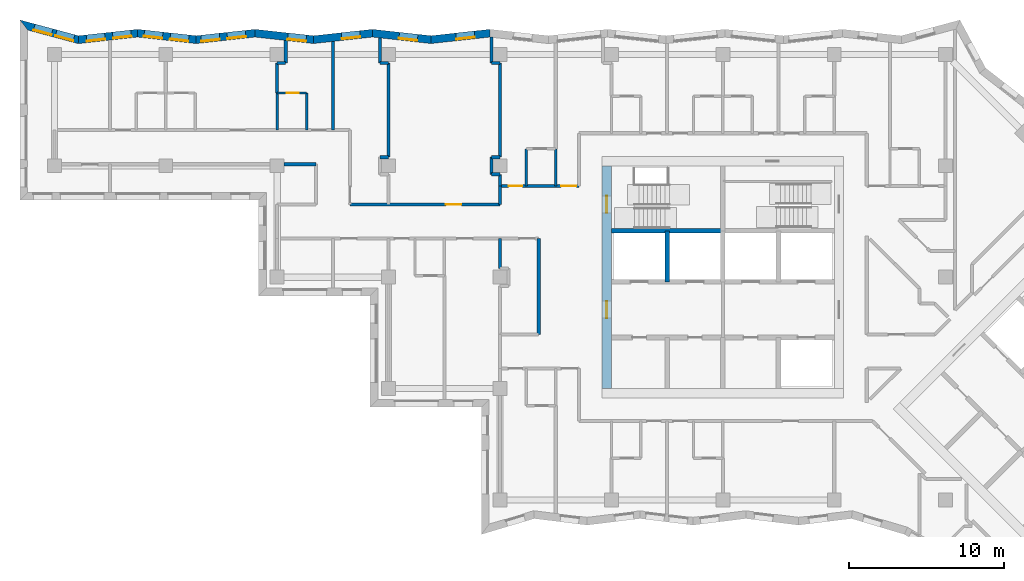
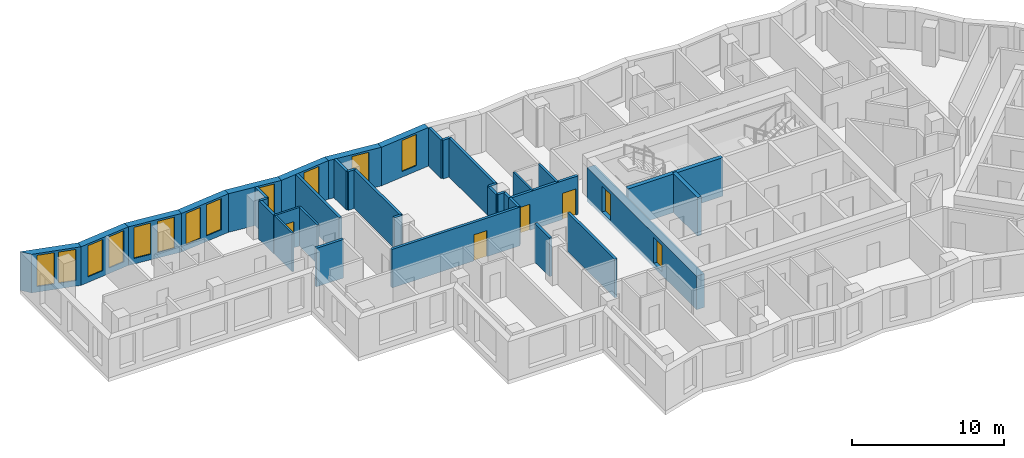
# One storey, part 5 of 12: 37 walls, 12 windows, 6 doors, 18 openings.
"""IFC4 building model written with IfcOpenShell, lengths in metres."""

from ifc_helpers import new_model, si_unit, direction, frame, frame_2d, origin, place, context, subcontext, project, spatial, polyline, rectangle, outline, extrude, material, layer, layer_set, type_object, element, fill, save


model = new_model("IFC4")

# Units and contexts
model_context = context("Model", 3, precision=1e-05, world=origin(), true_north=direction((0.0, 1.0)))
body_context = subcontext(model_context, "Body", "Model", "MODEL_VIEW")
ifc_project = project(units=[si_unit("LENGTHUNIT", "METRE"), si_unit("AREAUNIT", "SQUARE_METRE"), si_unit("VOLUMEUNIT", "CUBIC_METRE"), si_unit("PLANEANGLEUNIT", "RADIAN"), si_unit("MASSUNIT", "GRAM", prefix="KILO")], contexts=[model_context])

# Site, building, storey
site_placement = place(None, origin())
site = spatial("IfcSite", under=ifc_project, at=site_placement, CompositionType="ELEMENT")
building_placement = place(site_placement, origin())
building = spatial("IfcBuilding", under=site, at=building_placement, Name="Windrow Commons", CompositionType="ELEMENT")
storey_placement = place(building_placement, frame((0.0, 0.0, 149.0)))
storey = spatial("IfcBuildingStorey", under=building, at=storey_placement, Name="L40", CompositionType="ELEMENT", Elevation=149.0)

# Wall, opening, window
ifc_material_1 = material(Name="Brick masonry, red clay brick", Category="masonry")
ifc_layer_1 = layer(ifc_material_1, 0.5)
ifc_layer_set_1 = layer_set([ifc_layer_1], Name="Brick facade wall 500")
wall_type_1 = type_object("IfcWallType", Name="Brick facade wall 500", PredefinedType="SOLIDWALL", material=ifc_layer_set_1)
wall_1_placement = place(storey_placement, frame((49.7495, 73.3695, 0.0), z_axis=(0.0, 0.0, 1.0), x_axis=(-0.99390702, -0.1102217568, 0.0)))
wall_1 = element("IfcWall", 1, at=wall_1_placement, inside=storey, type_object=wall_type_1, Name="Brick facade wall L40 27", PredefinedType="SOLIDWALL", context=body_context, shape_type="SweptSolid", body=[
    extrude(outline(polyline([(-0.0277, -0.25), (3.7919, -0.25), (3.8473, 0.25), (0.0277, 0.25), (-0.0277, -0.25)])), origin(), (0.0, 0.0, 1.0), 3.1),
])
opening_1_placement = place(wall_1_placement, frame((0.9977, 0.0, 0.45)))
opening_1 = element("IfcOpeningElement", 2, at=opening_1_placement, cuts=wall_1, Name="Opening W7E", PredefinedType="OPENING", context=body_context, shape_type="SweptSolid", body=[
    extrude(rectangle(XDim=1.2, YDim=2.5, at=frame_2d((0.6, 1.25))), frame((0.0, 0.26, 0.0), z_axis=(0.0, -1.0, 0.0), x_axis=(1.0, 0.0, 0.0)), (0.0, 0.0, 1.0), 0.52),
])
ifc_material_2 = material(Name="Clear float glass in anodised aluminium frame", Category="aluminium")
window_type = type_object("IfcWindowType", Name="Window W7 notch 1200x2500", PartitioningType="SINGLE_PANEL", PredefinedType="WINDOW", material=ifc_material_2)
window_1_placement = place(opening_1_placement, origin())
window_1 = element("IfcWindow", 3, at=window_1_placement, inside=storey, type_object=window_type, Name="Window L40 27.1", OverallHeight=2.5, OverallWidth=1.2, PartitioningType="SINGLE_PANEL", PredefinedType="WINDOW", context=body_context, shape_type="SweptSolid", body=[
    extrude(rectangle(XDim=1.2, YDim=2.5, at=frame_2d((0.6, 1.25))), frame((0.0, 0.18, 0.0), z_axis=(0.0, -1.0, 0.0), x_axis=(1.0, 0.0, 0.0)), (0.0, 0.0, 1.0), 0.06),
])
fill(opening_1, window_1)

wall_2_placement = place(storey_placement, frame((45.9532, 72.9485, 0.0), z_axis=(0.0, 0.0, 1.0), x_axis=(-0.99390702, 0.1102217568, 0.0)))
wall_2 = element("IfcWall", 4, at=wall_2_placement, inside=storey, type_object=wall_type_1, Name="Brick facade wall L40 28", PredefinedType="SOLIDWALL", context=body_context, shape_type="SweptSolid", body=[
    extrude(outline(polyline([(0.0277, -0.25), (3.8473, -0.25), (3.7919, 0.25), (-0.0277, 0.25), (0.0277, -0.25)])), origin(), (0.0, 0.0, 1.0), 3.1),
])
opening_2_placement = place(wall_2_placement, frame((0.885, 0.0, 0.45)))
opening_2 = element("IfcOpeningElement", 5, at=opening_2_placement, cuts=wall_2, Name="Opening W7E", PredefinedType="OPENING", context=body_context, shape_type="SweptSolid", body=[
    extrude(rectangle(XDim=1.2, YDim=2.5, at=frame_2d((0.6, 1.25))), frame((0.0, 0.26, 0.0), z_axis=(0.0, -1.0, 0.0), x_axis=(1.0, 0.0, 0.0)), (0.0, 0.0, 1.0), 0.52),
])
window_2_placement = place(opening_2_placement, origin())
window_2 = element("IfcWindow", 6, at=window_2_placement, inside=storey, type_object=window_type, Name="Window L40 28.1", OverallHeight=2.5, OverallWidth=1.2, PartitioningType="SINGLE_PANEL", PredefinedType="WINDOW", context=body_context, shape_type="SweptSolid", body=[
    extrude(rectangle(XDim=1.2, YDim=2.5, at=frame_2d((0.6, 1.25))), frame((0.0, 0.18, 0.0), z_axis=(0.0, -1.0, 0.0), x_axis=(1.0, 0.0, 0.0)), (0.0, 0.0, 1.0), 0.06),
])
fill(opening_2, window_2)

wall_3_placement = place(storey_placement, frame((42.1569, 73.3695, 0.0), z_axis=(0.0, 0.0, 1.0), x_axis=(-0.99390702, -0.1102217568, 0.0)))
wall_3 = element("IfcWall", 7, at=wall_3_placement, inside=storey, type_object=wall_type_1, Name="Brick facade wall L40 29", PredefinedType="SOLIDWALL", context=body_context, shape_type="SweptSolid", body=[
    extrude(outline(polyline([(-0.0277, -0.25), (3.7919, -0.25), (3.8473, 0.25), (0.0277, 0.25), (-0.0277, -0.25)])), origin(), (0.0, 0.0, 1.0), 3.1),
])
opening_3_placement = place(wall_3_placement, frame((0.8001, 0.0, 0.45)))
opening_3 = element("IfcOpeningElement", 8, at=opening_3_placement, cuts=wall_3, Name="Opening W7E", PredefinedType="OPENING", context=body_context, shape_type="SweptSolid", body=[
    extrude(rectangle(XDim=1.2, YDim=2.5, at=frame_2d((0.6, 1.25))), frame((0.0, 0.26, 0.0), z_axis=(0.0, -1.0, 0.0), x_axis=(1.0, 0.0, 0.0)), (0.0, 0.0, 1.0), 0.52),
])
window_3_placement = place(opening_3_placement, origin())
window_3 = element("IfcWindow", 9, at=window_3_placement, inside=storey, type_object=window_type, Name="Window L40 29.1", OverallHeight=2.5, OverallWidth=1.2, PartitioningType="SINGLE_PANEL", PredefinedType="WINDOW", context=body_context, shape_type="SweptSolid", body=[
    extrude(rectangle(XDim=1.2, YDim=2.5, at=frame_2d((0.6, 1.25))), frame((0.0, 0.18, 0.0), z_axis=(0.0, -1.0, 0.0), x_axis=(1.0, 0.0, 0.0)), (0.0, 0.0, 1.0), 0.06),
])
fill(opening_3, window_3)

wall_4_placement = place(storey_placement, frame((38.3606, 72.9485, 0.0), z_axis=(0.0, 0.0, 1.0), x_axis=(-0.99390702, 0.1102217568, 0.0)))
wall_4 = element("IfcWall", 10, at=wall_4_placement, inside=storey, type_object=wall_type_1, Name="Brick facade wall L40 30", PredefinedType="SOLIDWALL", context=body_context, shape_type="SweptSolid", body=[
    extrude(outline(polyline([(0.0277, -0.25), (3.8473, -0.25), (3.7919, 0.25), (-0.0277, 0.25), (0.0277, -0.25)])), origin(), (0.0, 0.0, 1.0), 3.1),
])
opening_4_placement = place(wall_4_placement, frame((0.4875, 0.0, 0.45)))
opening_4 = element("IfcOpeningElement", 11, at=opening_4_placement, cuts=wall_4, Name="Opening W7E", PredefinedType="OPENING", context=body_context, shape_type="SweptSolid", body=[
    extrude(rectangle(XDim=1.2, YDim=2.5, at=frame_2d((0.6, 1.25))), frame((0.0, 0.26, 0.0), z_axis=(0.0, -1.0, 0.0), x_axis=(1.0, 0.0, 0.0)), (0.0, 0.0, 1.0), 0.52),
])
window_4_placement = place(opening_4_placement, origin())
window_4 = element("IfcWindow", 12, at=window_4_placement, inside=storey, type_object=window_type, Name="Window L40 30.1", OverallHeight=2.5, OverallWidth=1.2, PartitioningType="SINGLE_PANEL", PredefinedType="WINDOW", context=body_context, shape_type="SweptSolid", body=[
    extrude(rectangle(XDim=1.2, YDim=2.5, at=frame_2d((0.6, 1.25))), frame((0.0, 0.18, 0.0), z_axis=(0.0, -1.0, 0.0), x_axis=(1.0, 0.0, 0.0)), (0.0, 0.0, 1.0), 0.06),
])
fill(opening_4, window_4)

# Wall, openings, windows
wall_5_placement = place(storey_placement, frame((34.5643, 73.3695, 0.0), z_axis=(0.0, 0.0, 1.0), x_axis=(-0.993907338, -0.1102188888, 0.0)))
wall_5 = element("IfcWall", 13, at=wall_5_placement, inside=storey, type_object=wall_type_1, Name="Brick facade wall L40 31", PredefinedType="SOLIDWALL", context=body_context, shape_type="SweptSolid", body=[
    extrude(outline(polyline([(-0.0277, -0.25), (3.7919, -0.25), (3.8473, 0.25), (0.0277, 0.25), (-0.0277, -0.25)])), origin(), (0.0, 0.0, 1.0), 3.1),
])
opening_5_placement = place(wall_5_placement, frame((0.6026, 0.0, 0.45)))
opening_5 = element("IfcOpeningElement", 14, at=opening_5_placement, cuts=wall_5, Name="Opening W7E", PredefinedType="OPENING", context=body_context, shape_type="SweptSolid", body=[
    extrude(rectangle(XDim=1.2, YDim=2.5, at=frame_2d((0.6, 1.25))), frame((0.0, 0.26, 0.0), z_axis=(0.0, -1.0, 0.0), x_axis=(1.0, 0.0, 0.0)), (0.0, 0.0, 1.0), 0.52),
])
opening_6_placement = place(wall_5_placement, frame((2.2986, 0.0, 0.45)))
opening_6 = element("IfcOpeningElement", 15, at=opening_6_placement, cuts=wall_5, Name="Opening W7E", PredefinedType="OPENING", context=body_context, shape_type="SweptSolid", body=[
    extrude(rectangle(XDim=1.2, YDim=2.5, at=frame_2d((0.6, 1.25))), frame((0.0, 0.26, 0.0), z_axis=(0.0, -1.0, 0.0), x_axis=(1.0, 0.0, 0.0)), (0.0, 0.0, 1.0), 0.52),
])
window_5_placement = place(opening_5_placement, origin())
window_5 = element("IfcWindow", 16, at=window_5_placement, inside=storey, type_object=window_type, Name="Window L40 31.1", OverallHeight=2.5, OverallWidth=1.2, PartitioningType="SINGLE_PANEL", PredefinedType="WINDOW", context=body_context, shape_type="SweptSolid", body=[
    extrude(rectangle(XDim=1.2, YDim=2.5, at=frame_2d((0.6, 1.25))), frame((0.0, 0.18, 0.0), z_axis=(0.0, -1.0, 0.0), x_axis=(1.0, 0.0, 0.0)), (0.0, 0.0, 1.0), 0.06),
])
fill(opening_5, window_5)
window_6_placement = place(opening_6_placement, origin())
window_6 = element("IfcWindow", 17, at=window_6_placement, inside=storey, type_object=window_type, Name="Window L40 31.2", OverallHeight=2.5, OverallWidth=1.2, PartitioningType="SINGLE_PANEL", PredefinedType="WINDOW", context=body_context, shape_type="SweptSolid", body=[
    extrude(rectangle(XDim=1.2, YDim=2.5, at=frame_2d((0.6, 1.25))), frame((0.0, 0.18, 0.0), z_axis=(0.0, -1.0, 0.0), x_axis=(1.0, 0.0, 0.0)), (0.0, 0.0, 1.0), 0.06),
])
fill(opening_6, window_6)

wall_6_placement = place(storey_placement, frame((30.7679, 72.9485, 0.0), z_axis=(0.0, 0.0, 1.0), x_axis=(-0.99390702, 0.1102217568, 0.0)))
wall_6 = element("IfcWall", 18, at=wall_6_placement, inside=storey, type_object=wall_type_1, Name="Brick facade wall L40 32", PredefinedType="SOLIDWALL", context=body_context, shape_type="SweptSolid", body=[
    extrude(outline(polyline([(0.0277, -0.25), (3.8473, -0.25), (3.7919, 0.25), (-0.0277, 0.25), (0.0277, -0.25)])), origin(), (0.0, 0.0, 1.0), 3.1),
])
opening_7_placement = place(wall_6_placement, frame((0.49, 0.0, 0.45)))
opening_7 = element("IfcOpeningElement", 19, at=opening_7_placement, cuts=wall_6, Name="Opening W7E", PredefinedType="OPENING", context=body_context, shape_type="SweptSolid", body=[
    extrude(rectangle(XDim=1.2, YDim=2.5, at=frame_2d((0.6, 1.25))), frame((0.0, 0.26, 0.0), z_axis=(0.0, -1.0, 0.0), x_axis=(1.0, 0.0, 0.0)), (0.0, 0.0, 1.0), 0.52),
])
opening_8_placement = place(wall_6_placement, frame((2.1859, 0.0, 0.45)))
opening_8 = element("IfcOpeningElement", 20, at=opening_8_placement, cuts=wall_6, Name="Opening W7E", PredefinedType="OPENING", context=body_context, shape_type="SweptSolid", body=[
    extrude(rectangle(XDim=1.2, YDim=2.5, at=frame_2d((0.6, 1.25))), frame((0.0, 0.26, 0.0), z_axis=(0.0, -1.0, 0.0), x_axis=(1.0, 0.0, 0.0)), (0.0, 0.0, 1.0), 0.52),
])
window_7_placement = place(opening_7_placement, origin())
window_7 = element("IfcWindow", 21, at=window_7_placement, inside=storey, type_object=window_type, Name="Window L40 32.1", OverallHeight=2.5, OverallWidth=1.2, PartitioningType="SINGLE_PANEL", PredefinedType="WINDOW", context=body_context, shape_type="SweptSolid", body=[
    extrude(rectangle(XDim=1.2, YDim=2.5, at=frame_2d((0.6, 1.25))), frame((0.0, 0.18, 0.0), z_axis=(0.0, -1.0, 0.0), x_axis=(1.0, 0.0, 0.0)), (0.0, 0.0, 1.0), 0.06),
])
fill(opening_7, window_7)
window_8_placement = place(opening_8_placement, origin())
window_8 = element("IfcWindow", 22, at=window_8_placement, inside=storey, type_object=window_type, Name="Window L40 32.2", OverallHeight=2.5, OverallWidth=1.2, PartitioningType="SINGLE_PANEL", PredefinedType="WINDOW", context=body_context, shape_type="SweptSolid", body=[
    extrude(rectangle(XDim=1.2, YDim=2.5, at=frame_2d((0.6, 1.25))), frame((0.0, 0.18, 0.0), z_axis=(0.0, -1.0, 0.0), x_axis=(1.0, 0.0, 0.0)), (0.0, 0.0, 1.0), 0.06),
])
fill(opening_8, window_8)

wall_7_placement = place(storey_placement, frame((26.9716, 73.3695, 0.0), z_axis=(0.0, 0.0, 1.0), x_axis=(-0.9939053168, -0.1102371135, 0.0)))
wall_7 = element("IfcWall", 23, at=wall_7_placement, inside=storey, type_object=wall_type_1, Name="Brick facade wall L40 33", PredefinedType="SOLIDWALL", context=body_context, shape_type="SweptSolid", body=[
    extrude(outline(polyline([(-0.0277, -0.25), (3.7919, -0.25), (3.8863, 0.25), (0.0277, 0.25), (-0.0277, -0.25)])), origin(), (0.0, 0.0, 1.0), 3.1),
])
opening_9_placement = place(wall_7_placement, frame((0.4051, 0.0, 0.45)))
opening_9 = element("IfcOpeningElement", 24, at=opening_9_placement, cuts=wall_7, Name="Opening W7E", PredefinedType="OPENING", context=body_context, shape_type="SweptSolid", body=[
    extrude(rectangle(XDim=1.2, YDim=2.5, at=frame_2d((0.6, 1.25))), frame((0.0, 0.26, 0.0), z_axis=(0.0, -1.0, 0.0), x_axis=(1.0, 0.0, 0.0)), (0.0, 0.0, 1.0), 0.52),
])
opening_10_placement = place(wall_7_placement, frame((2.1108, 0.0, 0.45)))
opening_10 = element("IfcOpeningElement", 25, at=opening_10_placement, cuts=wall_7, Name="Opening W7E", PredefinedType="OPENING", context=body_context, shape_type="SweptSolid", body=[
    extrude(rectangle(XDim=1.2, YDim=2.5, at=frame_2d((0.6, 1.25))), frame((0.0, 0.26, 0.0), z_axis=(0.0, -1.0, 0.0), x_axis=(1.0, 0.0, 0.0)), (0.0, 0.0, 1.0), 0.52),
])
window_9_placement = place(opening_9_placement, origin())
window_9 = element("IfcWindow", 26, at=window_9_placement, inside=storey, type_object=window_type, Name="Window L40 33.1", OverallHeight=2.5, OverallWidth=1.2, PartitioningType="SINGLE_PANEL", PredefinedType="WINDOW", context=body_context, shape_type="SweptSolid", body=[
    extrude(rectangle(XDim=1.2, YDim=2.5, at=frame_2d((0.6, 1.25))), frame((0.0, 0.18, 0.0), z_axis=(0.0, -1.0, 0.0), x_axis=(1.0, 0.0, 0.0)), (0.0, 0.0, 1.0), 0.06),
])
fill(opening_9, window_9)
window_10_placement = place(opening_10_placement, origin())
window_10 = element("IfcWindow", 27, at=window_10_placement, inside=storey, type_object=window_type, Name="Window L40 33.2", OverallHeight=2.5, OverallWidth=1.2, PartitioningType="SINGLE_PANEL", PredefinedType="WINDOW", context=body_context, shape_type="SweptSolid", body=[
    extrude(rectangle(XDim=1.2, YDim=2.5, at=frame_2d((0.6, 1.25))), frame((0.0, 0.18, 0.0), z_axis=(0.0, -1.0, 0.0), x_axis=(1.0, 0.0, 0.0)), (0.0, 0.0, 1.0), 0.06),
])
fill(opening_10, window_10)

wall_8_placement = place(storey_placement, frame((23.156, 72.9463, 0.0), z_axis=(0.0, 0.0, 1.0), x_axis=(-0.9656828727, 0.2597240638, 0.0)))
wall_8 = element("IfcWall", 28, at=wall_8_placement, inside=storey, type_object=wall_type_1, Name="Brick facade wall L40 34", PredefinedType="SOLIDWALL", context=body_context, shape_type="SweptSolid", body=[
    extrude(outline(polyline([(0.0472, -0.25), (3.9784, -0.25), (3.3262, 0.25), (-0.0472, 0.25), (0.0472, -0.25)])), origin(), (0.0, 0.0, 1.0), 3.1),
])
opening_11_placement = place(wall_8_placement, frame((0.3056, 0.0, 0.45)))
opening_11 = element("IfcOpeningElement", 29, at=opening_11_placement, cuts=wall_8, Name="Opening W7E", PredefinedType="OPENING", context=body_context, shape_type="SweptSolid", body=[
    extrude(rectangle(XDim=1.2, YDim=2.5, at=frame_2d((0.6, 1.25))), frame((0.0, 0.26, 0.0), z_axis=(0.0, -1.0, 0.0), x_axis=(1.0, 0.0, 0.0)), (0.0, 0.0, 1.0), 0.52),
])
opening_12_placement = place(wall_8_placement, frame((1.7687, 0.0, 0.45)))
opening_12 = element("IfcOpeningElement", 30, at=opening_12_placement, cuts=wall_8, Name="Opening W7E", PredefinedType="OPENING", context=body_context, shape_type="SweptSolid", body=[
    extrude(rectangle(XDim=1.2, YDim=2.5, at=frame_2d((0.6, 1.25))), frame((0.0, 0.26, 0.0), z_axis=(0.0, -1.0, 0.0), x_axis=(1.0, 0.0, 0.0)), (0.0, 0.0, 1.0), 0.52),
])
window_11_placement = place(opening_11_placement, origin())
window_11 = element("IfcWindow", 31, at=window_11_placement, inside=storey, type_object=window_type, Name="Window L40 34.1", OverallHeight=2.5, OverallWidth=1.2, PartitioningType="SINGLE_PANEL", PredefinedType="WINDOW", context=body_context, shape_type="SweptSolid", body=[
    extrude(rectangle(XDim=1.2, YDim=2.5, at=frame_2d((0.6, 1.25))), frame((0.0, 0.18, 0.0), z_axis=(0.0, -1.0, 0.0), x_axis=(1.0, 0.0, 0.0)), (0.0, 0.0, 1.0), 0.06),
])
fill(opening_11, window_11)
window_12_placement = place(opening_12_placement, origin())
window_12 = element("IfcWindow", 32, at=window_12_placement, inside=storey, type_object=window_type, Name="Window L40 34.2", OverallHeight=2.5, OverallWidth=1.2, PartitioningType="SINGLE_PANEL", PredefinedType="WINDOW", context=body_context, shape_type="SweptSolid", body=[
    extrude(rectangle(XDim=1.2, YDim=2.5, at=frame_2d((0.6, 1.25))), frame((0.0, 0.18, 0.0), z_axis=(0.0, -1.0, 0.0), x_axis=(1.0, 0.0, 0.0)), (0.0, 0.0, 1.0), 0.06),
])
fill(opening_12, window_12)

# Wall, opening, door
ifc_material_3 = material(Name="Blockwork partition", Category="masonry")
ifc_layer_2 = layer(ifc_material_3, 0.2)
ifc_layer_set_2 = layer_set([ifc_layer_2], Name="IW-CORRIDOR-200")
wall_type_2 = type_object("IfcWallType", Name="IW-CORRIDOR-200", PredefinedType="PARTITIONING", material=ifc_layer_set_2)
wall_9_placement = place(storey_placement, frame((40.702, 62.3, 0.0), z_axis=(0.0, 0.0, 1.0), x_axis=(1.0, 0.0, 0.0)))
wall_9 = element("IfcWall", 33, at=wall_9_placement, inside=storey, type_object=wall_type_2, Name="W-L40-W008", PredefinedType="PARTITIONING", context=body_context, shape_type="SweptSolid", body=[
    extrude(rectangle(XDim=9.698, YDim=0.2, at=frame_2d((4.849, 0.0))), origin(), (0.0, 0.0, 1.0), 3.1),
])
opening_13_placement = place(wall_9_placement, frame((6.198, 0.0, 0.0)))
opening_13 = element("IfcOpeningElement", 34, at=opening_13_placement, cuts=wall_9, Name="Opening D310F", PredefinedType="OPENING", context=body_context, shape_type="SweptSolid", body=[
    extrude(rectangle(XDim=1.0, YDim=2.1, at=frame_2d((0.5, 1.05))), frame((0.0, 0.11, 0.0), z_axis=(0.0, -1.0, 0.0), x_axis=(1.0, 0.0, 0.0)), (0.0, 0.0, 1.0), 0.22),
])
ifc_material_4 = material(Name="Timber door leaf", Category="wood")
door_type_1 = type_object("IfcDoorType", Name="DT-AMENITY-1000", OperationType="SINGLE_SWING_LEFT", PredefinedType="DOOR", material=ifc_material_4)
door_1_placement = place(opening_13_placement, origin())
door_1 = element("IfcDoor", 35, at=door_1_placement, inside=storey, type_object=door_type_1, Name="D-L40-D021", OperationType="SINGLE_SWING_RIGHT", OverallHeight=2.1, OverallWidth=1.0, PredefinedType="DOOR", context=body_context, shape_type="SweptSolid", body=[
    extrude(rectangle(XDim=1.0, YDim=2.1, at=frame_2d((0.5, 1.05))), frame((0.0, 0.025, 0.0), z_axis=(0.0, -1.0, 0.0), x_axis=(1.0, 0.0, 0.0)), (0.0, 0.0, 1.0), 0.05),
])
fill(opening_13, door_1)

# Wall
wall_10_placement = place(storey_placement, frame((52.9, 53.902, 0.0), z_axis=(0.0, 0.0, 1.0), x_axis=(0.0, 1.0, 0.0)))
element("IfcWall", 36, at=wall_10_placement, inside=storey, type_object=wall_type_2, Name="W-L40-W025", PredefinedType="PARTITIONING", context=body_context, shape_type="SweptSolid", body=[
    extrude(rectangle(XDim=6.198, YDim=0.2, at=frame_2d((3.099, 0.0))), origin(), (0.0, 0.0, 1.0), 3.1),
])

# Wall, openings, doors
wall_11_placement = place(storey_placement, frame((50.4, 63.5, 0.0), z_axis=(0.0, 0.0, 1.0), x_axis=(1.0, 0.0, 0.0)))
wall_11 = element("IfcWall", 37, at=wall_11_placement, inside=storey, type_object=wall_type_2, Name="W-L40-W037", PredefinedType="PARTITIONING", context=body_context, shape_type="SweptSolid", body=[
    extrude(rectangle(XDim=5.1, YDim=0.2, at=frame_2d((2.55, 0.0))), origin(), (0.0, 0.0, 1.0), 3.1),
])
opening_14_placement = place(wall_11_placement, frame((0.5517, 0.0, 0.0)))
opening_14 = element("IfcOpeningElement", 38, at=opening_14_placement, cuts=wall_11, Name="Opening D109S", PredefinedType="OPENING", context=body_context, shape_type="SweptSolid", body=[
    extrude(rectangle(XDim=0.9, YDim=2.1, at=frame_2d((0.45, 1.05))), frame((0.0, 0.11, 0.0), z_axis=(0.0, -1.0, 0.0), x_axis=(1.0, 0.0, 0.0)), (0.0, 0.0, 1.0), 0.22),
])
opening_15_placement = place(wall_11_placement, frame((3.9413, 0.0, 0.0)))
opening_15 = element("IfcOpeningElement", 39, at=opening_15_placement, cuts=wall_11, Name="Opening D310F", PredefinedType="OPENING", context=body_context, shape_type="SweptSolid", body=[
    extrude(rectangle(XDim=1.0, YDim=2.1, at=frame_2d((0.5, 1.05))), frame((0.0, 0.11, 0.0), z_axis=(0.0, -1.0, 0.0), x_axis=(1.0, 0.0, 0.0)), (0.0, 0.0, 1.0), 0.22),
])
door_2_placement = place(opening_15_placement, origin())
door_2 = element("IfcDoor", 40, at=door_2_placement, inside=storey, type_object=door_type_1, Name="D-L40-D025", OperationType="SINGLE_SWING_LEFT", OverallHeight=2.1, OverallWidth=1.0, PredefinedType="DOOR", context=body_context, shape_type="SweptSolid", body=[
    extrude(rectangle(XDim=1.0, YDim=2.1, at=frame_2d((0.5, 1.05))), frame((0.0, 0.025, 0.0), z_axis=(0.0, -1.0, 0.0), x_axis=(1.0, 0.0, 0.0)), (0.0, 0.0, 1.0), 0.05),
])
fill(opening_15, door_2)
ifc_material_5 = material(Name="Timber door leaf", Category="wood")
door_type_2 = type_object("IfcDoorType", Name="DT-BEDROOM-900", OperationType="SINGLE_SWING_LEFT", PredefinedType="DOOR", material=ifc_material_5)
door_3_placement = place(opening_14_placement, origin())
door_3 = element("IfcDoor", 41, at=door_3_placement, inside=storey, type_object=door_type_2, Name="D-L40-D023", OperationType="SINGLE_SWING_RIGHT", OverallHeight=2.1, OverallWidth=0.9, PredefinedType="DOOR", context=body_context, shape_type="SweptSolid", body=[
    extrude(rectangle(XDim=0.9, YDim=2.1, at=frame_2d((0.45, 1.05))), frame((0.0, 0.025, 0.0), z_axis=(0.0, -1.0, 0.0), x_axis=(1.0, 0.0, 0.0)), (0.0, 0.0, 1.0), 0.05),
])
fill(opening_14, door_3)

# Walls
wall_12_placement = place(storey_placement, frame((36.45, 64.9, 0.0), z_axis=(0.0, 0.0, 1.0), x_axis=(1.0, 0.0, 0.0)))
element("IfcWall", 42, at=wall_12_placement, inside=storey, type_object=wall_type_2, Name="W-L40-W117", PredefinedType="PARTITIONING", context=body_context, shape_type="SweptSolid", body=[
    extrude(rectangle(XDim=2.05, YDim=0.2, at=frame_2d((1.025, 0.0))), origin(), (0.0, 0.0, 1.0), 3.1),
])
wall_13_placement = place(storey_placement, frame((50.4, 62.302, 0.0), z_axis=(0.0, 0.0, 1.0), x_axis=(0.0, 1.0, 0.0)))
element("IfcWall", 43, at=wall_13_placement, inside=storey, type_object=wall_type_2, Name="W-L40-W150", PredefinedType="PARTITIONING", context=body_context, shape_type="SweptSolid", body=[
    extrude(rectangle(XDim=1.198, YDim=0.2, at=frame_2d((0.599, 0.0))), origin(), (0.0, 0.0, 1.0), 3.1),
])
ifc_material_6 = material(Name="Blockwork partition", Category="masonry")
ifc_layer_3 = layer(ifc_material_6, 0.15)
ifc_layer_set_3 = layer_set([ifc_layer_3], Name="IW-ENSUITE-150")
wall_type_3 = type_object("IfcWallType", Name="IW-ENSUITE-150", PredefinedType="PARTITIONING", material=ifc_layer_set_3)
for number, where, z_axis, x_axis, name in (
    (44, (36.0, 67.1, 0.0), (0.0, 0.0, 1.0), (0.0, 1.0, 0.0), "W-L40-W073"),
    (45, (37.9, 67.1, 0.0), (0.0, 0.0, 1.0), (0.0, 1.0, 0.0), "W-L40-W074"),
    (46, (52.1, 63.5, 0.0), (0.0, 0.0, 1.0), (0.0, 1.0, 0.0), "W-L40-W076"),
    (47, (54.0, 63.5, 0.0), (0.0, 0.0, 1.0), (0.0, 1.0, 0.0), "W-L40-W078"),
):
    element("IfcWall", number, at=place(storey_placement, frame(where, z_axis=z_axis, x_axis=x_axis)), inside=storey, type_object=wall_type_3, Name=name, PredefinedType="PARTITIONING", context=body_context, shape_type="SweptSolid", body=[
        extrude(rectangle(XDim=2.4, YDim=0.15, at=frame_2d((1.2, 0.0))), origin(), (0.0, 0.0, 1.0), 3.1),
    ])

# Wall, opening, door
wall_14_placement = place(storey_placement, frame((36.0, 69.5, 0.0), z_axis=(0.0, 0.0, 1.0), x_axis=(1.0, 0.0, 0.0)))
wall_14 = element("IfcWall", 48, at=wall_14_placement, inside=storey, type_object=wall_type_3, Name="W-L40-W126", PredefinedType="PARTITIONING", context=body_context, shape_type="SweptSolid", body=[
    extrude(rectangle(XDim=1.9, YDim=0.15, at=frame_2d((0.95, 0.0))), origin(), (0.0, 0.0, 1.0), 3.1),
])
opening_16_placement = place(wall_14_placement, frame((0.6069, 0.0, 0.0)))
opening_16 = element("IfcOpeningElement", 49, at=opening_16_placement, cuts=wall_14, Name="Opening D208N", PredefinedType="OPENING", context=body_context, shape_type="SweptSolid", body=[
    extrude(rectangle(XDim=0.8, YDim=2.1, at=frame_2d((0.4, 1.05))), frame((0.0, 0.085, 0.0), z_axis=(0.0, -1.0, 0.0), x_axis=(1.0, 0.0, 0.0)), (0.0, 0.0, 1.0), 0.17),
])
ifc_material_7 = material(Name="Timber door leaf", Category="wood")
door_type_3 = type_object("IfcDoorType", Name="DT-ENSUITE-800", OperationType="SINGLE_SWING_LEFT", PredefinedType="DOOR", material=ifc_material_7)
door_4_placement = place(opening_16_placement, origin())
door_4 = element("IfcDoor", 50, at=door_4_placement, inside=storey, type_object=door_type_3, Name="D-L40-D007", OperationType="SINGLE_SWING_RIGHT", OverallHeight=2.1, OverallWidth=0.8, PredefinedType="DOOR", context=body_context, shape_type="SweptSolid", body=[
    extrude(rectangle(XDim=0.8, YDim=2.1, at=frame_2d((0.4, 1.05))), frame((0.0, 0.025, 0.0), z_axis=(0.0, -1.0, 0.0), x_axis=(1.0, 0.0, 0.0)), (0.0, 0.0, 1.0), 0.05),
])
fill(opening_16, door_4)

# Walls
ifc_material_8 = material(Name="Blockwork partition", Category="masonry")
ifc_layer_4 = layer(ifc_material_8, 0.2)
ifc_layer_set_4 = layer_set([ifc_layer_4], Name="IW-PARTY-200")
wall_type_4 = type_object("IfcWallType", Name="IW-PARTY-200", PredefinedType="PARTITIONING", material=ifc_layer_set_4)
for number, where, z_axis, x_axis, name in (
    (51, (43.2, 65.354, 0.0), (0.0, 0.0, 1.0), (0.0, 1.0, 0.0), "W-L40-W026"),
    (52, (50.4, 65.354, 0.0), (0.0, 0.0, 1.0), (0.0, 1.0, 0.0), "W-L40-W027"),
):
    element("IfcWall", number, at=place(storey_placement, frame(where, z_axis=z_axis, x_axis=x_axis)), inside=storey, type_object=wall_type_4, Name=name, PredefinedType="PARTITIONING", context=body_context, shape_type="SweptSolid", body=[
        extrude(rectangle(XDim=6.092, YDim=0.2, at=frame_2d((3.046, 0.0))), origin(), (0.0, 0.0, 1.0), 3.1),
    ])
wall_15_placement = place(storey_placement, frame((39.6, 67.1, 0.0), z_axis=(0.0, 0.0, 1.0), x_axis=(0.0, 1.0, 0.0)))
element("IfcWall", 53, at=wall_15_placement, inside=storey, type_object=wall_type_4, Name="W-L40-W035", PredefinedType="PARTITIONING", context=body_context, shape_type="SweptSolid", body=[
    extrude(rectangle(XDim=5.7344, YDim=0.2, at=frame_2d((2.8672, 0.0))), origin(), (0.0, 0.0, 1.0), 3.1),
])
wall_16_placement = place(storey_placement, frame((36.0, 69.5, 0.0), z_axis=(0.0, 0.0, 1.0), x_axis=(0.0, 1.0, 0.0)))
element("IfcWall", 54, at=wall_16_placement, inside=storey, type_object=wall_type_4, Name="W-L40-W119", PredefinedType="PARTITIONING", context=body_context, shape_type="SweptSolid", body=[
    extrude(rectangle(XDim=1.946, YDim=0.2, at=frame_2d((0.973, 0.0))), origin(), (0.0, 0.0, 1.0), 3.1),
])
wall_17_placement = place(storey_placement, frame((50.4, 58.156, 0.0), z_axis=(0.0, 0.0, 1.0), x_axis=(0.0, 1.0, 0.0)))
element("IfcWall", 55, at=wall_17_placement, inside=storey, type_object=wall_type_4, Name="W-L40-W121", PredefinedType="PARTITIONING", context=body_context, shape_type="SweptSolid", body=[
    extrude(rectangle(XDim=1.944, YDim=0.2, at=frame_2d((0.972, 0.0))), origin(), (0.0, 0.0, 1.0), 3.1),
])
wall_18_placement = place(storey_placement, frame((49.85, 71.446, 0.0), z_axis=(0.0, 0.0, 1.0), x_axis=(0.0, 1.0, 0.0)))
element("IfcWall", 56, at=wall_18_placement, inside=storey, type_object=wall_type_4, Name="W-L40-W141", PredefinedType="PARTITIONING", context=body_context, shape_type="SweptSolid", body=[
    extrude(rectangle(XDim=1.6608, YDim=0.2, at=frame_2d((0.8304, 0.0))), origin(), (0.0, 0.0, 1.0), 3.1),
])
wall_19_placement = place(storey_placement, frame((42.65, 71.446, 0.0), z_axis=(0.0, 0.0, 1.0), x_axis=(0.0, 1.0, 0.0)))
element("IfcWall", 57, at=wall_19_placement, inside=storey, type_object=wall_type_4, Name="W-L40-W144", PredefinedType="PARTITIONING", context=body_context, shape_type="SweptSolid", body=[
    extrude(rectangle(XDim=1.6172, YDim=0.2, at=frame_2d((0.8086, 0.0))), origin(), (0.0, 0.0, 1.0), 3.1),
])
wall_20_placement = place(storey_placement, frame((36.55, 71.446, 0.0), z_axis=(0.0, 0.0, 1.0), x_axis=(0.0, 1.0, 0.0)))
element("IfcWall", 58, at=wall_20_placement, inside=storey, type_object=wall_type_4, Name="W-L40-W146", PredefinedType="PARTITIONING", context=body_context, shape_type="SweptSolid", body=[
    extrude(rectangle(XDim=1.4517, YDim=0.2, at=frame_2d((0.7258, 0.0))), origin(), (0.0, 0.0, 1.0), 3.1),
])
wall_21_placement = place(storey_placement, frame((49.85, 64.246, 0.0), z_axis=(0.0, 0.0, 1.0), x_axis=(0.0, 1.0, 0.0)))
element("IfcWall", 59, at=wall_21_placement, inside=storey, type_object=wall_type_4, Name="W-L40-W153", PredefinedType="PARTITIONING", context=body_context, shape_type="SweptSolid", body=[
    extrude(rectangle(XDim=1.108, YDim=0.2, at=frame_2d((0.554, 0.0))), origin(), (0.0, 0.0, 1.0), 3.1),
])
wall_22_placement = place(storey_placement, frame((50.4, 63.5, 0.0), z_axis=(0.0, 0.0, 1.0), x_axis=(0.0, 1.0, 0.0)))
element("IfcWall", 60, at=wall_22_placement, inside=storey, type_object=wall_type_4, Name="W-L40-W160", PredefinedType="PARTITIONING", context=body_context, shape_type="SweptSolid", body=[
    extrude(rectangle(XDim=0.746, YDim=0.2, at=frame_2d((0.373, 0.0))), origin(), (0.0, 0.0, 1.0), 3.1),
])
for number, where, z_axis, x_axis, name in (
    (61, (42.65, 71.45, 0.0), (0.0, 0.0, 1.0), (1.0, 0.0, 0.0), "W-L40-W161"),
    (62, (42.65, 65.35, 0.0), (0.0, 0.0, 1.0), (1.0, 0.0, 0.0), "W-L40-W163"),
    (63, (36.0, 71.45, 0.0), (0.0, 0.0, 1.0), (1.0, 0.0, 0.0), "W-L40-W167"),
    (64, (49.85, 71.45, 0.0), (0.0, 0.0, 1.0), (1.0, 0.0, 0.0), "W-L40-W168"),
    (65, (49.85, 65.35, 0.0), (0.0, 0.0, 1.0), (1.0, 0.0, 0.0), "W-L40-W169"),
    (66, (49.85, 64.25, 0.0), (0.0, 0.0, 1.0), (1.0, 0.0, 0.0), "W-L40-W170"),
):
    element("IfcWall", number, at=place(storey_placement, frame(where, z_axis=z_axis, x_axis=x_axis)), inside=storey, type_object=wall_type_4, Name=name, PredefinedType="PARTITIONING", context=body_context, shape_type="SweptSolid", body=[
        extrude(rectangle(XDim=0.55, YDim=0.2, at=frame_2d((0.275, 0.0))), origin(), (0.0, 0.0, 1.0), 3.1),
    ])

# Wall, openings, doors
ifc_material_9 = material(Name="Concrete C50/60", Category="concrete")
ifc_layer_5 = layer(ifc_material_9, 0.6)
ifc_layer_set_5 = layer_set([ifc_layer_5], Name="RC CORE WALL 600 C50/60")
wall_type_5 = type_object("IfcWallType", Name="RC CORE WALL 600 C50/60", PredefinedType="SHEAR", material=ifc_layer_set_5)
wall_23_placement = place(storey_placement, frame((57.3, 50.4, -0.3), z_axis=(0.0, 0.0, 1.0), x_axis=(0.0, 1.0, 0.0)))
wall_23 = element("IfcWall", 67, at=wall_23_placement, inside=storey, type_object=wall_type_5, Name="Core A wall outer-W", PredefinedType="SHEAR", context=body_context, shape_type="SweptSolid", body=[
    extrude(rectangle(XDim=14.4, YDim=0.6, at=frame_2d((7.2, 0.0))), origin(), (0.0, 0.0, 1.0), 2.7),
])
opening_17_placement = place(wall_23_placement, frame((4.55, 0.0, 0.3)))
opening_17 = element("IfcOpeningElement", 68, at=opening_17_placement, cuts=wall_23, Name="Opening D6", PredefinedType="OPENING", context=body_context, shape_type="SweptSolid", body=[
    extrude(rectangle(XDim=1.1, YDim=2.1, at=frame_2d((0.55, 1.05))), frame((0.0, 0.31, 0.0), z_axis=(0.0, -1.0, 0.0), x_axis=(1.0, 0.0, 0.0)), (0.0, 0.0, 1.0), 0.62),
])
opening_18_placement = place(wall_23_placement, frame((11.35, 0.0, 0.3)))
opening_18 = element("IfcOpeningElement", 69, at=opening_18_placement, cuts=wall_23, Name="Opening D7", PredefinedType="OPENING", context=body_context, shape_type="SweptSolid", body=[
    extrude(rectangle(XDim=1.1, YDim=2.1, at=frame_2d((0.55, 1.05))), frame((0.0, 0.31, 0.0), z_axis=(0.0, -1.0, 0.0), x_axis=(1.0, 0.0, 0.0)), (0.0, 0.0, 1.0), 0.62),
])
ifc_material_10 = material(Name="Steel fire door leaf", Category="steel")
door_type_4 = type_object("IfcDoorType", Name="Core lobby door 1100", OperationType="SINGLE_SWING_LEFT", PredefinedType="DOOR", material=ifc_material_10)
door_5_placement = place(opening_17_placement, origin())
door_5 = element("IfcDoor", 70, at=door_5_placement, inside=storey, type_object=door_type_4, Name="Lift lobby door", OperationType="DOUBLE_DOOR_SINGLE_SWING", OverallHeight=2.1, OverallWidth=1.1, PredefinedType="DOOR", context=body_context, shape_type="SweptSolid", body=[
    extrude(rectangle(XDim=1.1, YDim=2.1, at=frame_2d((0.55, 1.05))), frame((0.0, 0.025, 0.0), z_axis=(0.0, -1.0, 0.0), x_axis=(1.0, 0.0, 0.0)), (0.0, 0.0, 1.0), 0.05),
])
fill(opening_17, door_5)
ifc_material_11 = material(Name="Steel fire door leaf", Category="steel")
door_type_5 = type_object("IfcDoorType", Name="Stair door 1100", OperationType="SINGLE_SWING_LEFT", PredefinedType="DOOR", material=ifc_material_11)
door_6_placement = place(opening_18_placement, origin())
door_6 = element("IfcDoor", 71, at=door_6_placement, inside=storey, type_object=door_type_5, Name="Stair door", OperationType="SINGLE_SWING_LEFT", OverallHeight=2.1, OverallWidth=1.1, PredefinedType="DOOR", context=body_context, shape_type="SweptSolid", body=[
    extrude(rectangle(XDim=1.1, YDim=2.1, at=frame_2d((0.55, 1.05))), frame((0.0, 0.025, 0.0), z_axis=(0.0, -1.0, 0.0), x_axis=(1.0, 0.0, 0.0)), (0.0, 0.0, 1.0), 0.05),
])
fill(opening_18, door_6)

# Walls
ifc_material_12 = material(Name="Concrete C50/60", Category="concrete")
ifc_layer_6 = layer(ifc_material_12, 0.3)
ifc_layer_set_6 = layer_set([ifc_layer_6], Name="RC SHAFT WALL 300 C50/60")
wall_type_6 = type_object("IfcWallType", Name="RC SHAFT WALL 300 C50/60", PredefinedType="SOLIDWALL", material=ifc_layer_set_6)
wall_24_placement = place(storey_placement, frame((61.2, 57.3, 0.0), z_axis=(0.0, 0.0, 1.0), x_axis=(0.0, 1.0, 0.0)))
element("IfcWall", 72, at=wall_24_placement, inside=storey, type_object=wall_type_6, Name="Core A wall shaft-N1", PredefinedType="SOLIDWALL", context=body_context, shape_type="SweptSolid", body=[
    extrude(rectangle(XDim=3.3, YDim=0.3, at=frame_2d((1.65, 0.0))), origin(), (0.0, 0.0, 1.0), 3.1),
])
wall_25_placement = place(storey_placement, frame((57.6, 60.6, 0.0), z_axis=(0.0, 0.0, 1.0), x_axis=(1.0, 0.0, 0.0)))
element("IfcWall", 73, at=wall_25_placement, inside=storey, type_object=wall_type_6, Name="Core A wall stair-S", PredefinedType="SOLIDWALL", context=body_context, shape_type="SweptSolid", body=[
    extrude(rectangle(XDim=7.2, YDim=0.3, at=frame_2d((3.6, 0.0))), origin(), (0.0, 0.0, 1.0), 3.1),
])

save(model, "model.ifc")
